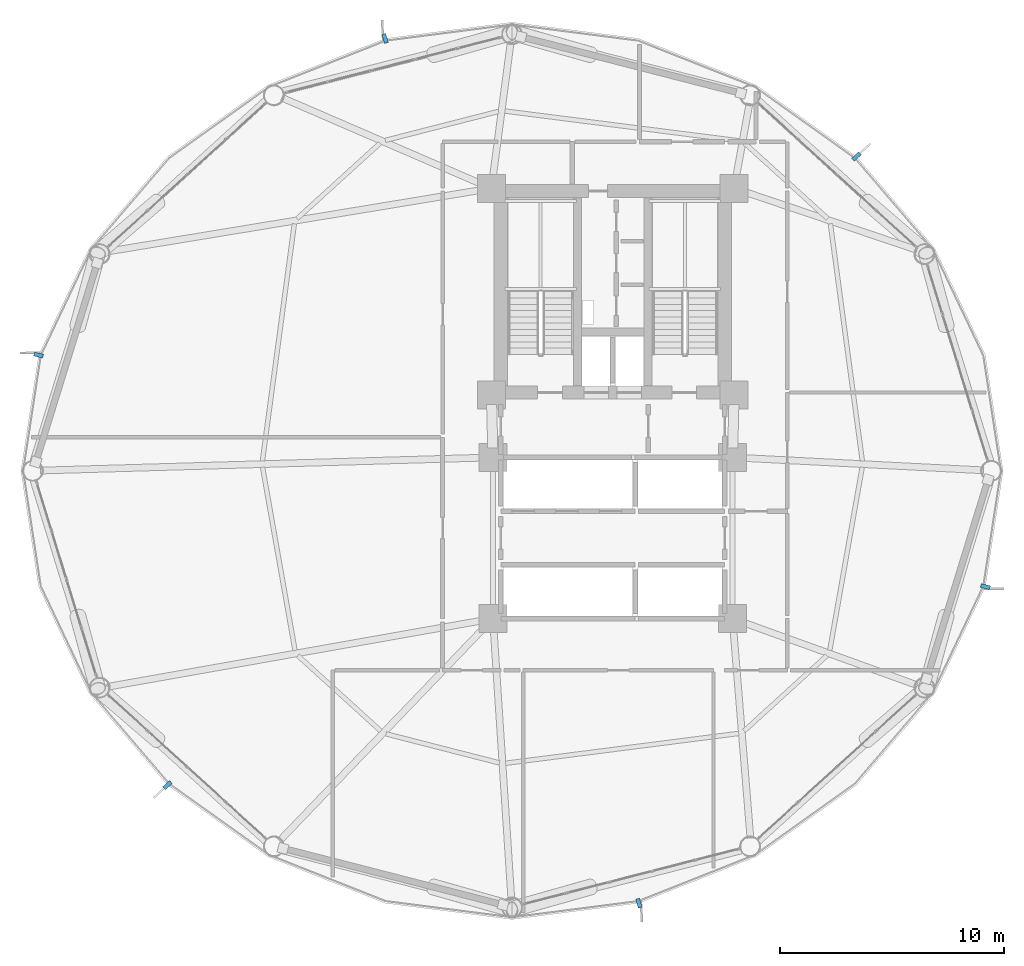
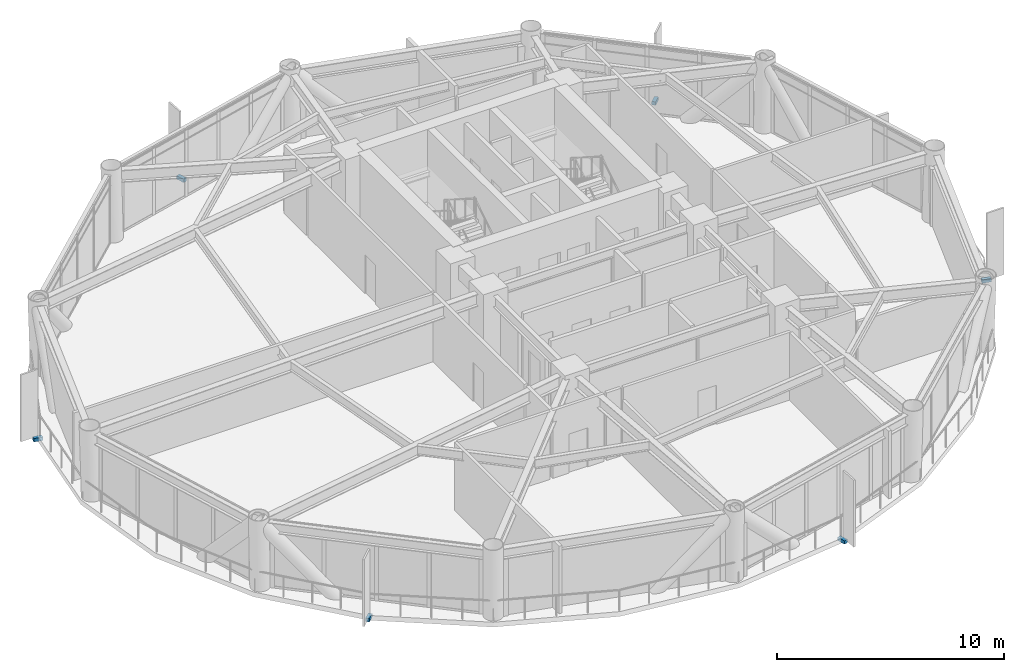
# One storey, part 22 of 25: 6 discrete accessories.
"""IFC4 building model written with IfcOpenShell, lengths in metres."""

from ifc_helpers import new_model, si_unit, direction, frame, origin, origin_2d, place, context, subcontext, project, spatial, rectangle, extrude, source, transform, mapped, material, type_object, type_shapes, element, save


model = new_model("IFC4")

# Units and contexts
model_context = context("Model", 3, precision=1e-05, world=origin(), true_north=direction((0.0, 1.0)))
body_context = subcontext(model_context, "Body", "Model", "MODEL_VIEW")
ifc_project = project(units=[si_unit("LENGTHUNIT", "METRE"), si_unit("AREAUNIT", "SQUARE_METRE"), si_unit("VOLUMEUNIT", "CUBIC_METRE"), si_unit("PLANEANGLEUNIT", "RADIAN"), si_unit("MASSUNIT", "GRAM", prefix="KILO")], contexts=[model_context])

# Site, building, storey
site_placement = place(None, origin())
site = spatial("IfcSite", under=ifc_project, at=site_placement, CompositionType="ELEMENT")
building_placement = place(site_placement, origin())
building = spatial("IfcBuilding", under=site, at=building_placement, Name="Varnakorn Sky Granary", CompositionType="ELEMENT")
storey_placement = place(building_placement, frame((0.0, 0.0, 58.800048828125)))
storey = spatial("IfcBuildingStorey", under=building, at=storey_placement, Name="L14", CompositionType="ELEMENT", Elevation=58.800048828125)

# Discrete accessories
ifc_material = material(Name="Steel S355JR", Category="steel")
discrete_accessory_type = type_object("IfcDiscreteAccessoryType", Name="AC-BRK-01", PredefinedType="BRACKET", material=ifc_material)
shared_shape = source(origin(), body_context, "Body", "SweptSolid", [
    extrude(rectangle(XDim=0.179931640625, YDim=0.419921875, at=origin_2d()), origin(), (0.0, 0.0, 1.0), 0.179931640625),
])
type_shapes(discrete_accessory_type, [shared_shape])
for number, where, z_axis, x_axis, name in (
    (1, (13.88916015625, 14.039306640625, -0.2001953125), (0.0, 0.0, 1.0), (-0.673963050859, 0.738765054721, 0.0), "Facade Solar-Screen Outrigger Bracket L14-02"),
    (2, (-7.169189453125, 19.31298828125, -0.2001953125), (0.0, 0.0, 1.0), (-0.959515704844, -0.281655129828, 0.0), "Facade Solar-Screen Outrigger Bracket L14-04"),
    (3, (-22.647705078125, 5.172607421875, -0.2001953125), (0.0, 0.0, 1.0), (-0.237586645689, -0.971366349937, 0.0), "Facade Solar-Screen Outrigger Bracket L14-06"),
    (4, (-16.88916015625, -14.039306640625, -0.2001953125), (0.0, 0.0, 1.0), (0.673963050859, -0.738765054721, 0.0), "Facade Solar-Screen Outrigger Bracket L14-08"),
    (5, (4.169189453125, -19.31298828125, -0.2001953125), (0.0, 0.0, 1.0), (0.959515704844, 0.281655129828, 0.0), "Facade Solar-Screen Outrigger Bracket L14-10"),
    (6, (19.647705078125, -5.172607421875, -0.2001953125), (0.0, 0.0, 1.0), (0.237586645689, 0.971366349937, 0.0), "Facade Solar-Screen Outrigger Bracket L14-12"),
):
    element("IfcDiscreteAccessory", number, at=place(storey_placement, frame(where, z_axis=z_axis, x_axis=x_axis)), inside=storey, type_object=discrete_accessory_type, Name=name, PredefinedType="BRACKET", context=body_context, shape_type="MappedRepresentation", body=[
        mapped(shared_shape, transform((0.0, 0.0, 0.0), x_axis=(1.0, 0.0, 0.0), y_axis=(0.0, 1.0, 0.0), z_axis=(0.0, 0.0, 1.0), scale=1.0)),
    ])

save(model, "model.ifc")
